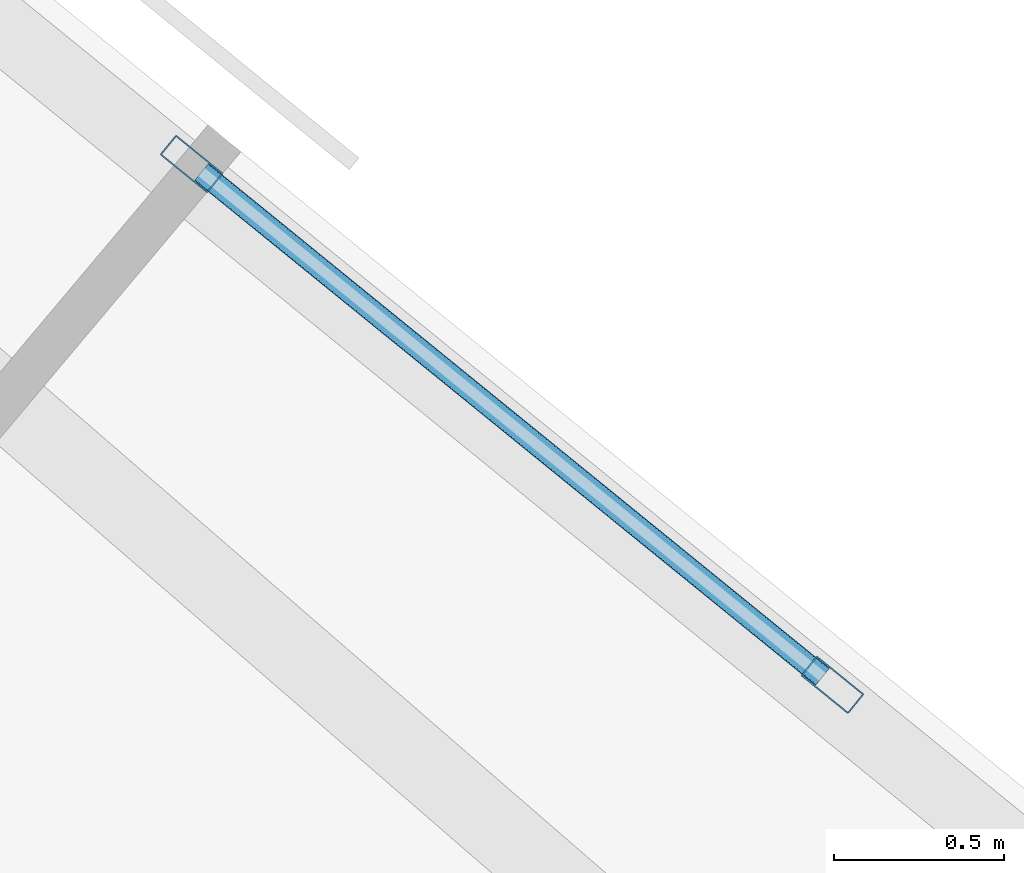
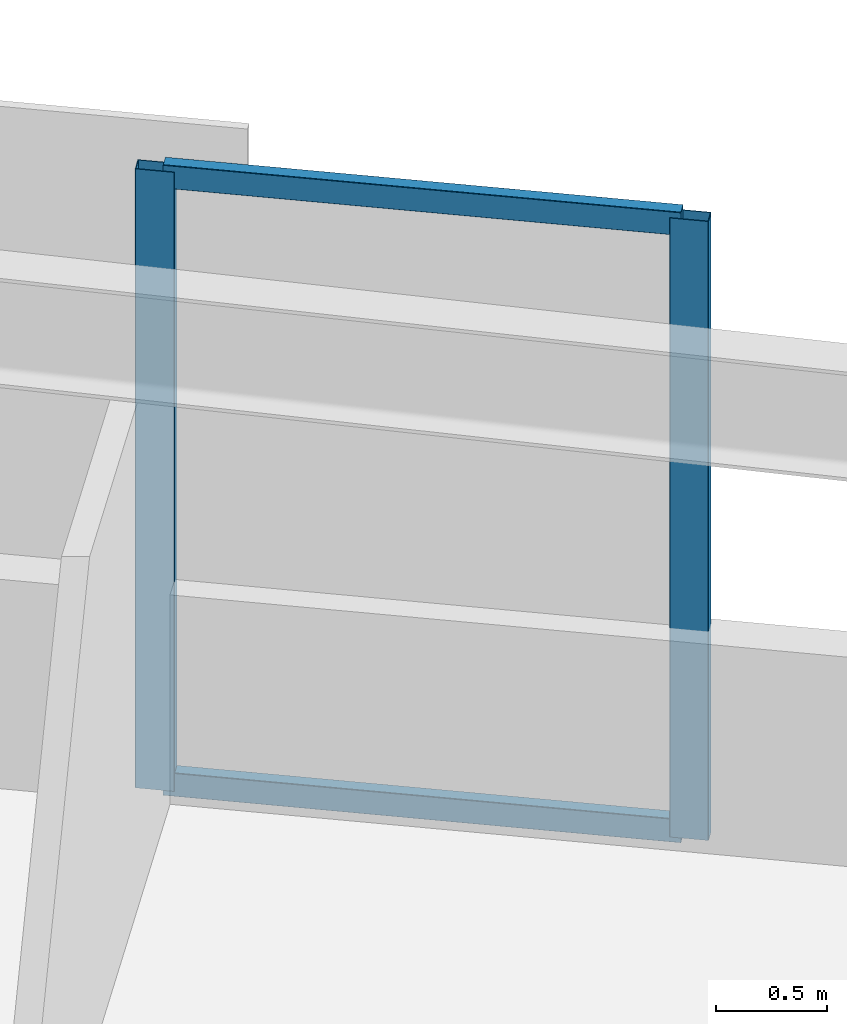
# One storey, part 2 of 17: 4 members, 1 element without a shape of its own.
"""IFC4 building model written with IfcOpenShell, lengths in metres."""

from ifc_helpers import new_model, si_unit, direction, frame, origin, origin_2d, place, context, subcontext, project, spatial, hollow_rectangle, extrude, material, material_profile, profile_set, type_object, element, aggregate, save


model = new_model("IFC4")

# Units and contexts
model_context = context("Model", 3, precision=1e-05, world=origin(), true_north=direction((0.0, 1.0)))
body_context = subcontext(model_context, "Body", "Model", "MODEL_VIEW")
ifc_project = project(units=[si_unit("LENGTHUNIT", "METRE"), si_unit("AREAUNIT", "SQUARE_METRE"), si_unit("VOLUMEUNIT", "CUBIC_METRE"), si_unit("PLANEANGLEUNIT", "RADIAN"), si_unit("MASSUNIT", "GRAM", prefix="KILO")], contexts=[model_context])

# Site, building, storey
site_placement = place(None, origin())
site = spatial("IfcSite", under=ifc_project, at=site_placement, CompositionType="ELEMENT")
building_placement = place(site_placement, origin())
building = spatial("IfcBuilding", under=site, at=building_placement, Name="Narakoshi Arena Tower", CompositionType="ELEMENT")
storey_placement = place(building_placement, frame((0.0, 0.0, 37.5)))
storey = spatial("IfcBuildingStorey", under=building, at=storey_placement, Name="L09", CompositionType="ELEMENT", Elevation=37.5)

# Curtain wall, members
ifc_material = material(Name="Anodised bronze aluminium 6063-T6", Category="aluminium")
curtain_wall_type = type_object("IfcCurtainWallType", Name="CW-HYP-LOW", PredefinedType="NOTDEFINED", material=ifc_material)
curtain_wall_placement = place(storey_placement, origin())
curtain_wall = element("IfcCurtainWall", 1, at=curtain_wall_placement, inside=storey, type_object=curtain_wall_type, Name="L09 Folded Hypotenuse Curtain Wall 2-1", PredefinedType="NOTDEFINED")
ifc_material_profile_1 = material_profile(ifc_material, hollow_rectangle(XDim=0.074951171875, YDim=0.179931640625, WallThickness=0.00390625, OuterFilletRadius=0.0048828125, at=origin_2d()), Name="MUL180x75x4")
ifc_profile_set_1 = profile_set([ifc_material_profile_1], Name="Anodised bronze aluminium 6063-T6")
member_type_1 = type_object("IfcMemberType", Name="MEM-MUL-180", PredefinedType="MULLION", material=ifc_profile_set_1)
member_1_placement = place(storey_placement, frame((93.34521484375, 59.196533203125, 0.0), z_axis=(0.0, 0.0, 1.0), x_axis=(-0.63072316495, -0.776007918256, 0.0)))
member_1 = element("IfcMember", 2, at=member_1_placement, type_object=member_type_1, Name="CW-01 mullion 1", PredefinedType="MULLION", context=body_context, shape_type="SweptSolid", body=[
    extrude(hollow_rectangle(XDim=0.074951171875, YDim=0.179931640625, WallThickness=0.00390625, OuterFilletRadius=0.0048828125, at=origin_2d()), origin(), (0.0, 0.0, 1.0), 3.39990234375),
])
member_2_placement = place(storey_placement, frame((91.45654296875, 60.731689453125, 0.0), z_axis=(0.0, 0.0, 1.0), x_axis=(-0.63072316495, -0.776007918256, 0.0)))
member_2 = element("IfcMember", 3, at=member_2_placement, type_object=member_type_1, Name="CW-01 mullion 2", PredefinedType="MULLION", context=body_context, shape_type="SweptSolid", body=[
    extrude(hollow_rectangle(XDim=0.074951171875, YDim=0.179931640625, WallThickness=0.00390625, OuterFilletRadius=0.0048828125, at=origin_2d()), origin(), (0.0, 0.0, 1.0), 3.39990234375),
])
ifc_material_profile_2 = material_profile(ifc_material, hollow_rectangle(XDim=0.06494140625, YDim=0.1298828125, WallThickness=0.00390625, OuterFilletRadius=0.0048828125, at=origin_2d()), Name="TRN130x65x4")
ifc_profile_set_2 = profile_set([ifc_material_profile_2], Name="Anodised bronze aluminium 6063-T6")
member_type_2 = type_object("IfcMemberType", Name="MEM-TRN-130", PredefinedType="USERDEFINED", material=ifc_profile_set_2)
member_3_placement = place(storey_placement, frame((93.316162109375, 59.22021484375, 0.032470703125), z_axis=(-0.776019017778, 0.630709508448, 0.0), x_axis=(-0.630709508448, -0.776019017778, 0.0)))
member_3 = element("IfcMember", 4, at=member_3_placement, type_object=member_type_2, Name="CW-01 transom 1.1", ObjectType="TRANSOM", PredefinedType="USERDEFINED", context=body_context, shape_type="SweptSolid", body=[
    extrude(hollow_rectangle(XDim=0.06494140625, YDim=0.1298828125, WallThickness=0.00390625, OuterFilletRadius=0.0048828125, at=origin_2d()), origin(), (0.0, 0.0, 1.0), 2.35888671875),
])
member_4_placement = place(storey_placement, frame((93.316162109375, 59.22021484375, 3.367431640625), z_axis=(-0.776019017778, 0.630709508448, 0.0), x_axis=(-0.630709508448, -0.776019017778, 0.0)))
member_4 = element("IfcMember", 5, at=member_4_placement, type_object=member_type_2, Name="CW-01 transom 1.2", ObjectType="TRANSOM", PredefinedType="USERDEFINED", context=body_context, shape_type="SweptSolid", body=[
    extrude(hollow_rectangle(XDim=0.06494140625, YDim=0.1298828125, WallThickness=0.00390625, OuterFilletRadius=0.0048828125, at=origin_2d()), origin(), (0.0, 0.0, 1.0), 2.35888671875),
])
aggregate(curtain_wall, [member_1, member_2, member_3, member_4])

save(model, "model.ifc")
